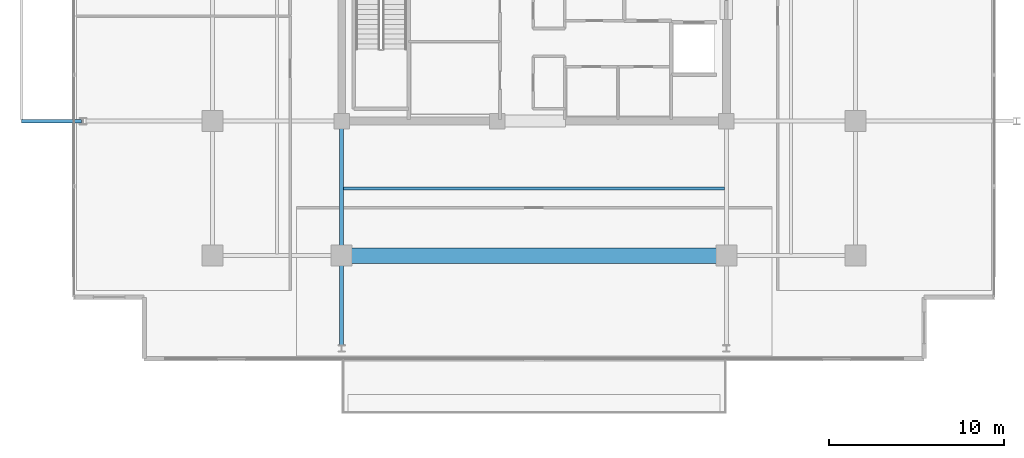
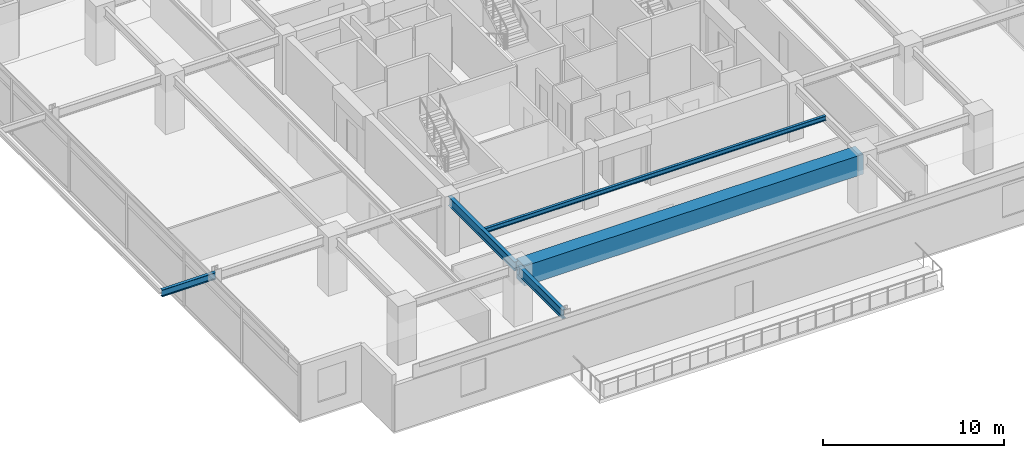
# One storey, part 3 of 23: 5 beams.
"""IFC4 building model written with IfcOpenShell, lengths in metres."""

from ifc_helpers import new_model, si_unit, direction, frame, origin, origin_2d, place, context, subcontext, project, spatial, rectangle, i_section, extrude, material, material_profile, profile_set, type_object, element, save


model = new_model("IFC4")

# Units and contexts
model_context = context("Model", 3, precision=1e-05, world=origin(), true_north=direction((0.0, 1.0)))
body_context = subcontext(model_context, "Body", "Model", "MODEL_VIEW")
ifc_project = project(units=[si_unit("LENGTHUNIT", "METRE"), si_unit("AREAUNIT", "SQUARE_METRE"), si_unit("VOLUMEUNIT", "CUBIC_METRE"), si_unit("PLANEANGLEUNIT", "RADIAN"), si_unit("MASSUNIT", "GRAM", prefix="KILO")], contexts=[model_context])

# Site, building, storey
site_placement = place(None, origin())
site = spatial("IfcSite", under=ifc_project, at=site_placement, CompositionType="ELEMENT")
building_placement = place(site_placement, origin())
building = spatial("IfcBuilding", under=site, at=building_placement, Name="Kovane Verandah Tower", CompositionType="ELEMENT")
storey_placement = place(building_placement, frame((0.0, 0.0, 243.199951171875)))
storey = spatial("IfcBuildingStorey", under=building, at=storey_placement, Name="L56", CompositionType="ELEMENT", Elevation=243.199951171875)

# Beams
ifc_material_1 = material(Name="Concrete C80/95", Category="concrete")
ifc_material_profile_1 = material_profile(ifc_material_1, rectangle(XDim=0.89990234375, YDim=1.35009765625, at=origin_2d()), Name="RCB900x1350")
ifc_profile_set_1 = profile_set([ifc_material_profile_1], Name="Concrete C80/95")
beam_type_1 = type_object("IfcBeamType", Name="BM-TR-900x1350", PredefinedType="BEAM", material=ifc_profile_set_1)
beam_1_placement = place(storey_placement, frame((29.179931640625, 10.800048828125, 3.110107421875), z_axis=(1.0, 0.0, 0.0), x_axis=(0.0, 1.0, 0.0)))
element("IfcBeam", 1, at=beam_1_placement, inside=storey, type_object=beam_type_1, Name="L56 Primary Tower Girder G-RS2", PredefinedType="BEAM", context=body_context, shape_type="SweptSolid", body=[
    extrude(rectangle(XDim=0.89990234375, YDim=1.35009765625, at=origin_2d()), origin(), (0.0, 0.0, 1.0), 21.64013671875),
])
ifc_material_2 = material(Name="Steel S355", Category="steel")
ifc_material_profile_2 = material_profile(ifc_material_2, i_section(OverallWidth=0.230224609375, OverallDepth=0.6171875, WebThickness=0.01318359375, FlangeThickness=0.022216796875, FilletRadius=0.0126953125, at=origin_2d()), Name="UB610x229x140")
ifc_profile_set_2 = profile_set([ifc_material_profile_2], Name="Steel S355")
beam_type_2 = type_object("IfcBeamType", Name="BM-UB610x140", PredefinedType="BEAM", material=ifc_profile_set_2)
beam_2_placement = place(storey_placement, frame((29.0, 18.320068359375, 3.4765625), z_axis=(0.0, -1.0, 0.0), x_axis=(1.0, 0.0, 0.0)))
element("IfcBeam", 2, at=beam_2_placement, inside=storey, type_object=beam_type_2, Name="L56 Primary Tower Girder G-S1", PredefinedType="BEAM", context=body_context, shape_type="SweptSolid", body=[
    extrude(i_section(OverallWidth=0.230224609375, OverallDepth=0.6171875, WebThickness=0.01318359375, FlangeThickness=0.022216796875, FilletRadius=0.0126953125, at=origin_2d()), origin(), (0.0, 0.0, 1.0), 7.340087890625),
])
beam_3_placement = place(storey_placement, frame((29.0, 10.6201171875, 3.451416015625), z_axis=(0.0, -1.0, 0.0), x_axis=(1.0, 0.0, 0.0)))
element("IfcBeam", 3, at=beam_3_placement, inside=storey, type_object=beam_type_2, Name="L56 Primary Tower Girder G-VS1", PredefinedType="BEAM", context=body_context, shape_type="SweptSolid", body=[
    extrude(i_section(OverallWidth=0.230224609375, OverallDepth=0.6171875, WebThickness=0.01318359375, FlangeThickness=0.022216796875, FilletRadius=0.0126953125, at=origin_2d()), origin(), (0.0, 0.0, 1.0), 4.940185546875),
])
ifc_material_profile_3 = material_profile(ifc_material_2, i_section(OverallWidth=0.1669921875, OverallDepth=0.310302734375, WebThickness=0.0078125, FlangeThickness=0.013671875, FilletRadius=0.0087890625, at=origin_2d()), Name="UB305x165x54")
ifc_profile_set_3 = profile_set([ifc_material_profile_3], Name="Steel S355")
beam_type_3 = type_object("IfcBeamType", Name="JST-UB305x54", PredefinedType="JOIST", material=ifc_profile_set_3)
beam_4_placement = place(storey_placement, frame((29.113037109375, 14.64990234375, 3.6298828125), z_axis=(1.0, 0.0, 0.0), x_axis=(0.0, 1.0, 0.0)))
element("IfcBeam", 4, at=beam_4_placement, inside=storey, type_object=beam_type_3, Name="L56 Secondary Composite Joist J-S1", PredefinedType="JOIST", context=body_context, shape_type="SweptSolid", body=[
    extrude(i_section(OverallWidth=0.1669921875, OverallDepth=0.310302734375, WebThickness=0.0078125, FlangeThickness=0.013671875, FilletRadius=0.0087890625, at=origin_2d()), origin(), (0.0, 0.0, 1.0), 21.77392578125),
])
ifc_material_profile_4 = material_profile(ifc_material_2, i_section(OverallWidth=0.19287109375, OverallDepth=0.46728515625, WebThickness=0.011474609375, FlangeThickness=0.01953125, FilletRadius=0.01025390625, at=origin_2d()), Name="UB457x191x98")
ifc_profile_set_4 = profile_set([ifc_material_profile_4], Name="Steel S355")
beam_type_4 = type_object("IfcBeamType", Name="JST-UB457x98", PredefinedType="JOIST", material=ifc_profile_set_4)
beam_5_placement = place(storey_placement, frame((14.1201171875, 18.5, 3.5263671875), z_axis=(-1.0, 0.0, 0.0), x_axis=(0.0, -1.0, 0.0)))
element("IfcBeam", 5, at=beam_5_placement, inside=storey, type_object=beam_type_4, Name="L56 West Planter Girder 1", PredefinedType="JOIST", context=body_context, shape_type="SweptSolid", body=[
    extrude(i_section(OverallWidth=0.19287109375, OverallDepth=0.46728515625, WebThickness=0.011474609375, FlangeThickness=0.01953125, FilletRadius=0.01025390625, at=origin_2d()), origin(), (0.0, 0.0, 1.0), 3.4365234375),
])

save(model, "model.ifc")
